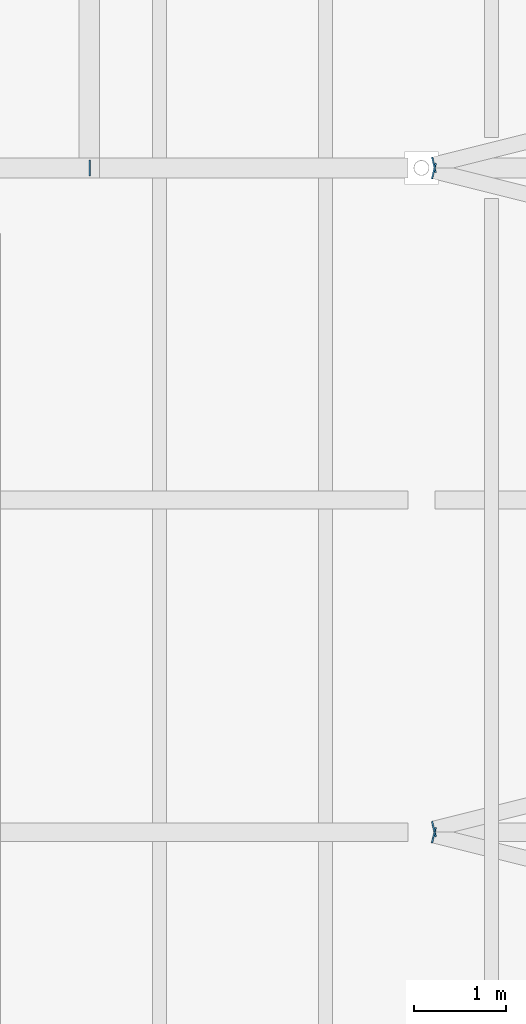
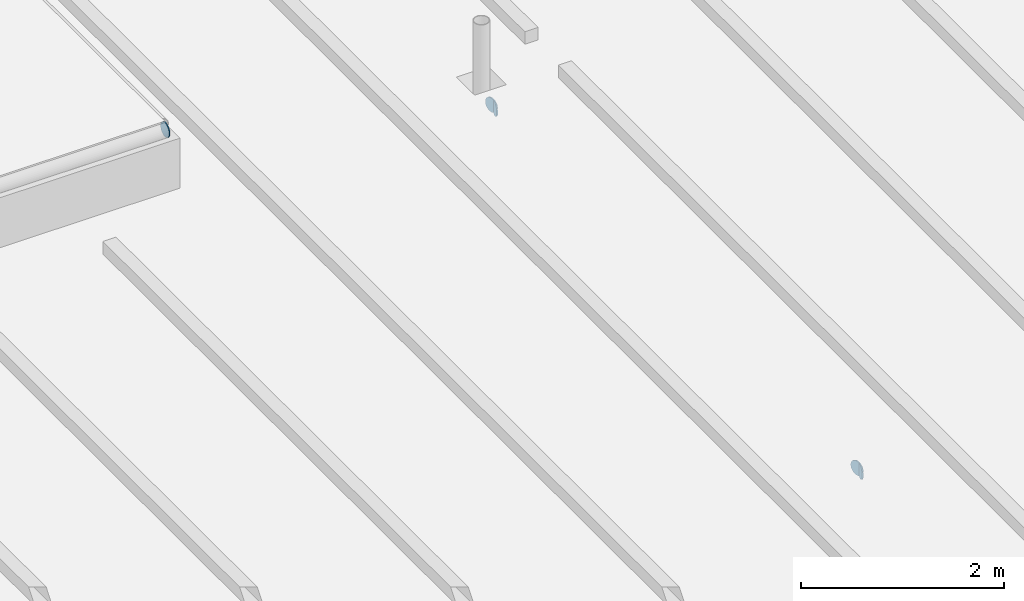
# One storey, part 102 of 120: 5 discrete accessories.
"""IFC4 building model written with IfcOpenShell, lengths in metres."""

from ifc_helpers import new_model, si_unit, direction, frame, origin, origin_2d, place, context, subcontext, project, spatial, circle, extrude, material, layer, layer_set, type_object, element, save


model = new_model("IFC4")

# Units and contexts
model_context = context("Model", 3, precision=1e-05, world=origin(), true_north=direction((0.0, 1.0)))
body_context = subcontext(model_context, "Body", "Model", "MODEL_VIEW")
ifc_project = project(units=[si_unit("LENGTHUNIT", "METRE"), si_unit("AREAUNIT", "SQUARE_METRE"), si_unit("VOLUMEUNIT", "CUBIC_METRE"), si_unit("PLANEANGLEUNIT", "RADIAN"), si_unit("MASSUNIT", "GRAM", prefix="KILO")], contexts=[model_context])

# Site, building, storey
site_placement = place(None, origin())
site = spatial("IfcSite", under=ifc_project, at=site_placement, CompositionType="ELEMENT")
building_placement = place(site_placement, origin())
building = spatial("IfcBuilding", under=site, at=building_placement, Name="Kupolbacken Congress Centre", CompositionType="ELEMENT")
storey_placement = place(building_placement, frame((0.0, 0.0, 21.60009765625)))
storey = spatial("IfcBuildingStorey", under=building, at=storey_placement, Name="L06", CompositionType="ELEMENT", Elevation=21.60009765625)

# Discrete accessories
ifc_material = material(Name="Steel S355", Category="steel")
ifc_layer = layer(ifc_material, 0.011962890625)
ifc_layer_set = layer_set([ifc_layer], Name="Steel S355")
discrete_accessory_type = type_object("IfcDiscreteAccessoryType", Name="EC2 tube end cap plate 168 dia x 12", PredefinedType="BRACKET", material=ifc_layer_set)
for number, where, z_axis, x_axis, name in (
    (1, (151.3408203125, 89.96484375, -0.084228515625), (-0.970142500145, 0.242535625036, 0.0), (-0.242535625036, -0.970142500145, 0.0), "End cap plate HR/RB/05-12 B"),
    (2, (151.3408203125, 90.03515625, -0.084228515625), (-0.970142500145, -0.242535625036, 0.0), (0.242535625036, -0.970142500145, 0.0), "End cap plate HR/RB/05-13 A"),
    (3, (151.3408203125, 97.164794921875, -0.084228515625), (-0.970142500145, 0.242535625036, 0.0), (-0.242535625036, -0.970142500145, 0.0), "End cap plate HR/RB/05-14 B"),
    (4, (151.3408203125, 97.235107421875, -0.084228515625), (-0.974732318528, -0.223376156329, 0.0), (0.223376156329, -0.974732318528, 0.0), "End cap plate HR/RB/05-15 A"),
    (5, (147.60009765625, 97.199951171875, 0.944091796875), (1.0, 0.0, 0.0), (0.0, 1.0, 0.0), "End cap plate RD/RL6/FS B"),
):
    element("IfcDiscreteAccessory", number, at=place(storey_placement, frame(where, z_axis=z_axis, x_axis=x_axis)), inside=storey, type_object=discrete_accessory_type, Name=name, PredefinedType="BRACKET", context=body_context, shape_type="SweptSolid", body=[
        extrude(circle(Radius=0.084228515625, at=origin_2d()), origin(), (0.0, 0.0, 1.0), 0.011962890625),
    ])

save(model, "model.ifc")
